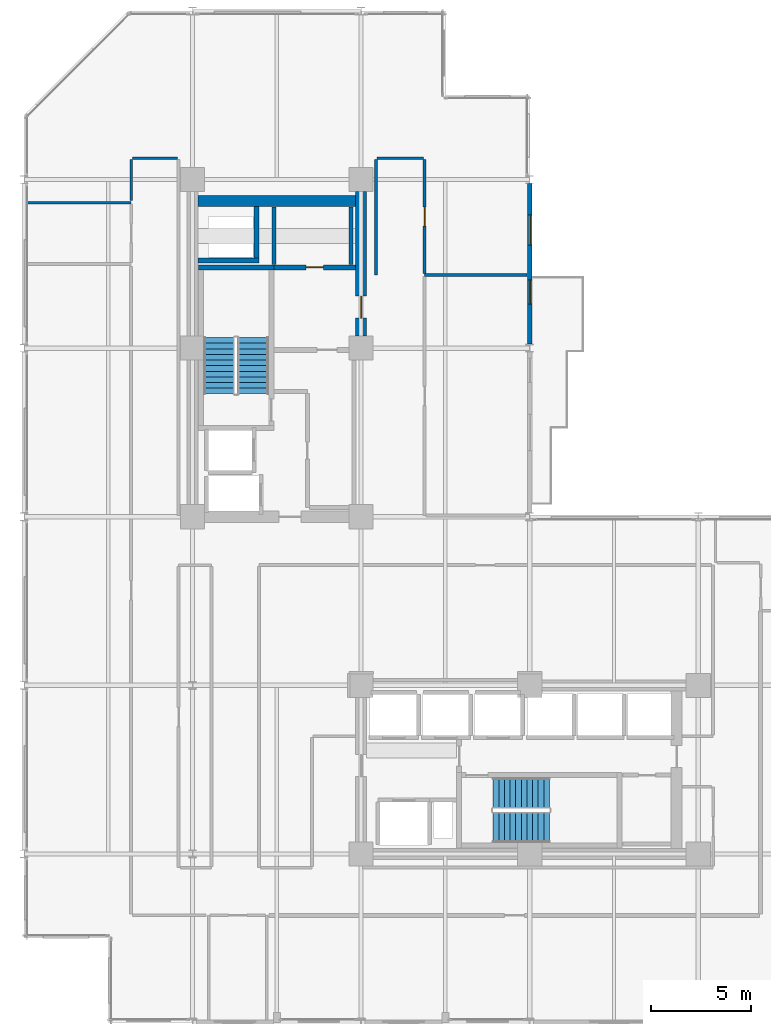
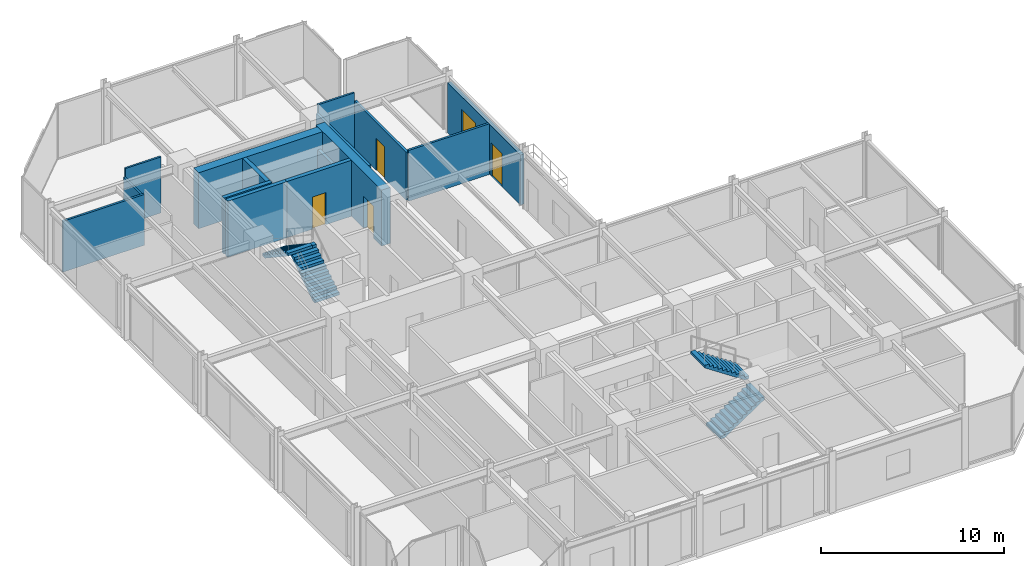
# One storey, part 26 of 29: 16 walls, 4 doors, 4 stair flights, 1 window, 5 openings, 2 elements without a shape of their own.
"""IFC4 building model written with IfcOpenShell, lengths in metres."""

from ifc_helpers import new_model, si_unit, direction, frame, frame_2d, origin, place, context, subcontext, project, spatial, polyline, rectangle, outline, extrude, material, layer, layer_set, type_object, element, fill, aggregate, save


model = new_model("IFC4")

# Units and contexts
model_context = context("Model", 3, precision=1e-05, world=origin(), true_north=direction((0.0, 1.0)))
body_context = subcontext(model_context, "Body", "Model", "MODEL_VIEW")
ifc_project = project(units=[si_unit("LENGTHUNIT", "METRE"), si_unit("AREAUNIT", "SQUARE_METRE"), si_unit("VOLUMEUNIT", "CUBIC_METRE"), si_unit("PLANEANGLEUNIT", "RADIAN"), si_unit("MASSUNIT", "GRAM", prefix="KILO")], contexts=[model_context])

# Site, building, storey
site_placement = place(None, origin())
site = spatial("IfcSite", under=ifc_project, at=site_placement, CompositionType="ELEMENT")
building_placement = place(site_placement, origin())
building = spatial("IfcBuilding", under=site, at=building_placement, Name="Nerrivon Quay Data Exchange", CompositionType="ELEMENT")
storey_placement = place(building_placement, frame((0.0, 0.0, 158.199951171875)))
storey = spatial("IfcBuildingStorey", under=building, at=storey_placement, Name="L37", CompositionType="ELEMENT", Elevation=158.199951171875)

# Wall, openings, door, window
ifc_material_1 = material(Name="Architectural terracotta precast concrete N50 (50 MPa)", Category="masonry")
ifc_layer_1 = layer(ifc_material_1, 0.239990234375)
ifc_layer_set_1 = layer_set([ifc_layer_1], Name="Architectural terracotta precast concrete N50 (50 MPa)")
wall_type_1 = type_object("IfcWallType", Name="EW-PREC-240", PredefinedType="STANDARD", material=ifc_layer_set_1)
wall_1_placement = place(storey_placement, frame((25.199951171875, 41.800048828125, 0.0), z_axis=(0.0, 0.0, 1.0), x_axis=(0.0, -1.0, 0.0)))
wall_1 = element("IfcWall", 1, at=wall_1_placement, inside=storey, type_object=wall_type_1, Name="L37 Terrace Host Wall 24", PredefinedType="STANDARD", context=body_context, shape_type="SweptSolid", body=[
    extrude(rectangle(XDim=8.0, YDim=0.239990234375, at=frame_2d((4.0, 0.0))), origin(), (0.0, 0.0, 1.0), 3.34716796875),
])
opening_1_placement = place(wall_1_placement, frame((4.800048828125, 0.0, 0.0)))
opening_1 = element("IfcOpeningElement", 2, at=opening_1_placement, cuts=wall_1, Name="Opening TD1", PredefinedType="OPENING", context=body_context, shape_type="SweptSolid", body=[
    extrude(rectangle(XDim=1.199951171875, YDim=2.199951171875, at=frame_2d((0.60009765625, 1.10009765625))), frame((0.0, 0.1298828125, 0.0), z_axis=(0.0, -1.0, 0.0), x_axis=(1.0, 0.0, 0.0)), (0.0, 0.0, 1.0), 0.260009765625),
])
opening_2_placement = place(wall_1_placement, frame((1.56103515625, 0.0, 0.89990234375)))
opening_2 = element("IfcOpeningElement", 3, at=opening_2_placement, cuts=wall_1, Name="Opening WN4", PredefinedType="OPENING", context=body_context, shape_type="SweptSolid", body=[
    extrude(rectangle(XDim=1.5, YDim=1.60009765625, at=frame_2d((0.75, 0.800048828125))), frame((0.0, 0.1298828125, 0.0), z_axis=(0.0, -1.0, 0.0), x_axis=(1.0, 0.0, 0.0)), (0.0, 0.0, 1.0), 0.260009765625),
])
ifc_material_2 = material(Name="Double-glazed low-E solar control glass", Category="glass")
door_type_1 = type_object("IfcDoorType", Name="DR-TERR-1200x2200", OperationType="NOTDEFINED", PredefinedType="DOOR", material=ifc_material_2)
door_1_placement = place(opening_1_placement, origin())
door_1 = element("IfcDoor", 4, at=door_1_placement, inside=storey, type_object=door_type_1, Name="L37 Outdoor Terrace Access Door 24", OperationType="SINGLE_SWING_LEFT", OverallHeight=2.199951171875, OverallWidth=1.199951171875, PredefinedType="DOOR", context=body_context, shape_type="SweptSolid", body=[
    extrude(rectangle(XDim=1.199951171875, YDim=2.199951171875, at=frame_2d((0.60009765625, 1.10009765625))), frame((0.0, 0.02490234375, 0.0), z_axis=(0.0, -1.0, 0.0), x_axis=(1.0, 0.0, 0.0)), (0.0, 0.0, 1.0), 0.050048828125),
])
fill(opening_1, door_1)
window_type = type_object("IfcWindowType", Name="WIN-W4-1500x1600", PartitioningType="SINGLE_PANEL", PredefinedType="WINDOW", material=ifc_material_2)
window_placement = place(opening_2_placement, origin())
window = element("IfcWindow", 5, at=window_placement, inside=storey, type_object=window_type, Name="L37 Terrace Side Window 24", OverallHeight=1.60009765625, OverallWidth=1.5, PartitioningType="SINGLE_PANEL", PredefinedType="WINDOW", context=body_context, shape_type="SweptSolid", body=[
    extrude(rectangle(XDim=1.5, YDim=1.60009765625, at=frame_2d((0.75, 0.800048828125))), frame((0.0, 0.030029296875, 0.0), z_axis=(0.0, -1.0, 0.0), x_axis=(1.0, 0.0, 0.0)), (0.0, 0.0, 1.0), 0.06005859375),
])
fill(opening_2, window)

# Wall
ifc_material_3 = material(Name="Concrete S65 (65 MPa)", Category="concrete")
ifc_layer_2 = layer(ifc_material_3, 0.550048828125)
ifc_layer_set_2 = layer_set([ifc_layer_2], Name="Concrete S65 (65 MPa)")
wall_type_2 = type_object("IfcWallType", Name="WALL-CW-700", PredefinedType="SHEAR", material=ifc_layer_set_2)
wall_2_placement = place(storey_placement, frame((8.675048828125, 40.925048828125, 0.0), z_axis=(0.0, 0.0, 1.0), x_axis=(1.0, 0.0, 0.0)))
element("IfcWall", 6, at=wall_2_placement, inside=storey, type_object=wall_type_2, Name="L37 West Split-Core Shear Wall WCW-N1", PredefinedType="SHEAR", context=body_context, shape_type="SweptSolid", body=[
    extrude(rectangle(XDim=7.849853515625, YDim=0.550048828125, at=frame_2d((3.9248046875, 0.0))), origin(), (0.0, 0.0, 1.0), 3.75),
])

# Wall, opening, door
wall_3_placement = place(storey_placement, frame((16.800048828125, 34.199951171875, 0.0), z_axis=(0.0, 0.0, 1.0), x_axis=(0.0, 1.0, 0.0)))
wall_3 = element("IfcWall", 7, at=wall_3_placement, inside=storey, type_object=wall_type_2, Name="L37 West Split-Core Shear Wall WCW-E1", PredefinedType="SHEAR", context=body_context, shape_type="SweptSolid", body=[
    extrude(rectangle(XDim=7.199951171875, YDim=0.550048828125, at=frame_2d((3.60009765625, 0.0))), origin(), (0.0, 0.0, 1.0), 3.75),
])
opening_3_placement = place(wall_3_placement, frame((0.89990234375, 0.0, 0.0)))
opening_3 = element("IfcOpeningElement", 8, at=opening_3_placement, cuts=wall_3, Name="Opening FD-120", PredefinedType="OPENING", context=body_context, shape_type="SweptSolid", body=[
    extrude(rectangle(XDim=1.10009765625, YDim=2.14990234375, at=frame_2d((0.550048828125, 1.074951171875))), frame((0.0, 0.284912109375, 0.0), z_axis=(0.0, -1.0, 0.0), x_axis=(1.0, 0.0, 0.0)), (0.0, 0.0, 1.0), 0.570068359375),
])
ifc_material_4 = material(Name="Powder-coated galvanized steel sheet", Category="steel")
door_type_2 = type_object("IfcDoorType", Name="DR-FD120-1100", OperationType="NOTDEFINED", PredefinedType="DOOR", material=ifc_material_4)
door_2_placement = place(opening_3_placement, origin())
door_2 = element("IfcDoor", 9, at=door_2_placement, inside=storey, type_object=door_type_2, Name="L37 West Core Lobby Fire Door", OperationType="SINGLE_SWING_LEFT", OverallHeight=2.14990234375, OverallWidth=1.10009765625, PredefinedType="DOOR", context=body_context, shape_type="SweptSolid", body=[
    extrude(rectangle(XDim=1.10009765625, YDim=2.14990234375, at=frame_2d((0.550048828125, 1.074951171875))), frame((0.0, 0.02490234375, 0.0), z_axis=(0.0, -1.0, 0.0), x_axis=(1.0, 0.0, 0.0)), (0.0, 0.0, 1.0), 0.050048828125),
])
fill(opening_3, door_2)

# Walls
ifc_material_5 = material(Name="Gypsum plasterboard on cold-formed framing", Category="gypsum")
ifc_layer_3 = layer(ifc_material_5, 0.199951171875)
ifc_layer_set_3 = layer_set([ifc_layer_3], Name="Gypsum plasterboard on cold-formed framing")
wall_type_3 = type_object("IfcWallType", Name="WALL-FW-200", PredefinedType="PARTITIONING", material=ifc_layer_set_3)
for number, where, z_axis, x_axis, name in (
    (10, (16.300048828125, 37.780029296875, 0.0), (0.0, 0.0, 1.0), (0.0, 1.0, 0.0), "L37 Partition Cleaners Store"),
    (11, (12.449951171875, 40.64599609375, 0.0), (0.0, 0.0, 1.0), (0.0, -1.0, 0.0), "L37 Partition Cleaners Store"),
):
    element("IfcWall", number, at=place(storey_placement, frame(where, z_axis=z_axis, x_axis=x_axis)), inside=storey, type_object=wall_type_3, Name=name, PredefinedType="PARTITIONING", context=body_context, shape_type="SweptSolid", body=[
        extrude(rectangle(XDim=2.865966796875, YDim=0.199951171875, at=frame_2d((1.43310546875, 0.0))), origin(), (0.0, 0.0, 1.0), 2.650146484375),
    ])
ifc_layer_4 = layer(ifc_material_5, 0.1201171875)
ifc_layer_set_4 = layer_set([ifc_layer_4], Name="Gypsum plasterboard on cold-formed framing")
wall_type_4 = type_object("IfcWallType", Name="WALL-PT-120", PredefinedType="PARTITIONING", material=ifc_layer_set_4)
wall_4_placement = place(storey_placement, frame((17.60009765625, 43.06005859375, 0.0), z_axis=(0.0, 0.0, 1.0), x_axis=(1.0, 0.0, 0.0)))
element("IfcWall", 12, at=wall_4_placement, inside=storey, type_object=wall_type_4, Name="L37 Partition Technical Seminar Room", PredefinedType="PARTITIONING", context=body_context, shape_type="SweptSolid", body=[
    extrude(rectangle(XDim=2.2998046875, YDim=0.1201171875, at=frame_2d((1.14990234375, 0.0))), origin(), (0.0, 0.0, 1.0), 3.75),
])
wall_5_placement = place(storey_placement, frame((5.340087890625, 40.969970703125, 0.0), z_axis=(0.0, 0.0, 1.0), x_axis=(0.0, 1.0, 0.0)))
element("IfcWall", 13, at=wall_5_placement, inside=storey, type_object=wall_type_4, Name="L37 Partition Technical Seminar Room", PredefinedType="PARTITIONING", context=body_context, shape_type="SweptSolid", body=[
    extrude(rectangle(XDim=2.030029296875, YDim=0.1201171875, at=frame_2d((1.01513671875, 0.0))), origin(), (0.0, 0.0, 1.0), 3.217041015625),
])
wall_6_placement = place(storey_placement, frame((5.39990234375, 43.06005859375, 0.0), z_axis=(0.0, 0.0, 1.0), x_axis=(1.0, 0.0, 0.0)))
element("IfcWall", 14, at=wall_6_placement, inside=storey, type_object=wall_type_4, Name="L37 Partition Technical Seminar Room", PredefinedType="PARTITIONING", context=body_context, shape_type="SweptSolid", body=[
    extrude(rectangle(XDim=2.25, YDim=0.1201171875, at=frame_2d((1.125, 0.0))), origin(), (0.0, 0.0, 1.0), 3.75),
])
ifc_layer_5 = layer(ifc_material_5, 0.135009765625)
ifc_layer_set_5 = layer_set([ifc_layer_5], Name="Gypsum plasterboard on cold-formed framing")
wall_type_5 = type_object("IfcWallType", Name="WALL-PT-135", PredefinedType="PARTITIONING", material=ifc_layer_set_5)
wall_7_placement = place(storey_placement, frame((5.340087890625, 40.85009765625, 0.0), z_axis=(0.0, 0.0, 1.0), x_axis=(-1.0, 0.0, 0.0)))
element("IfcWall", 15, at=wall_7_placement, inside=storey, type_object=wall_type_5, Name="L37 Partition Accessible Toilet", PredefinedType="PARTITIONING", context=body_context, shape_type="SweptSolid", body=[
    extrude(rectangle(XDim=5.171142578125, YDim=0.135009765625, at=frame_2d((2.58544921875, 0.0))), origin(), (0.0, 0.0, 1.0), 3.39404296875),
])
wall_8_placement = place(storey_placement, frame((25.075927734375, 37.248046875, 0.0), z_axis=(0.0, 0.0, 1.0), x_axis=(-1.0, 0.0, 0.0)))
element("IfcWall", 16, at=wall_8_placement, inside=storey, type_object=wall_type_5, Name="L37 Partition Executive Boardroom", PredefinedType="PARTITIONING", context=body_context, shape_type="SweptSolid", body=[
    extrude(rectangle(XDim=5.115966796875, YDim=0.135009765625, at=frame_2d((2.55810546875, 0.0))), origin(), (0.0, 0.0, 1.0), 3.39404296875),
])
ifc_layer_6 = layer(ifc_material_5, 0.14990234375)
ifc_layer_set_6 = layer_set([ifc_layer_6], Name="Gypsum plasterboard on cold-formed framing")
wall_type_6 = type_object("IfcWallType", Name="WALL-PT-150", PredefinedType="PARTITIONING", material=ifc_layer_set_6)
wall_9_placement = place(storey_placement, frame((17.5400390625, 37.248046875, 0.0), z_axis=(0.0, 0.0, 1.0), x_axis=(0.0, 1.0, 0.0)))
element("IfcWall", 17, at=wall_9_placement, inside=storey, type_object=wall_type_6, Name="L37 Partition Technical Seminar Room", PredefinedType="PARTITIONING", context=body_context, shape_type="SweptSolid", body=[
    extrude(rectangle(XDim=5.751953125, YDim=0.14990234375, at=frame_2d((2.8759765625, 0.0))), origin(), (0.0, 0.0, 1.0), 3.217041015625),
])

# Wall, opening, door
wall_10_placement = place(storey_placement, frame((19.9599609375, 43.0, 0.0), z_axis=(0.0, 0.0, 1.0), x_axis=(0.0, -1.0, 0.0)))
wall_10 = element("IfcWall", 18, at=wall_10_placement, inside=storey, type_object=wall_type_6, Name="L37 Partition Technical Seminar Room", PredefinedType="PARTITIONING", context=body_context, shape_type="SweptSolid", body=[
    extrude(rectangle(XDim=5.680419921875, YDim=0.14990234375, at=frame_2d((2.84033203125, 0.0))), origin(), (0.0, 0.0, 1.0), 3.217041015625),
])
opening_4_placement = place(wall_10_placement, frame((2.365234375, 0.0, 0.0)))
opening_4 = element("IfcOpeningElement", 19, at=opening_4_placement, cuts=wall_10, Name="Opening D-01", PredefinedType="OPENING", context=body_context, shape_type="SweptSolid", body=[
    extrude(rectangle(XDim=0.949951171875, YDim=2.14990234375, at=frame_2d((0.47509765625, 1.074951171875))), frame((0.0, 0.0849609375, 0.0), z_axis=(0.0, -1.0, 0.0), x_axis=(1.0, 0.0, 0.0)), (0.0, 0.0, 1.0), 0.169921875),
])
ifc_material_6 = material(Name="Engineered hardwood timber", Category="wood")
door_type_3 = type_object("IfcDoorType", Name="DR-INT-950", OperationType="NOTDEFINED", PredefinedType="DOOR", material=ifc_material_6)
door_3_placement = place(opening_4_placement, origin())
door_3 = element("IfcDoor", 20, at=door_3_placement, inside=storey, type_object=door_type_3, Name="L37 Door Technical Seminar Room", OperationType="SINGLE_SWING_RIGHT", OverallHeight=2.14990234375, OverallWidth=0.949951171875, PredefinedType="DOOR", context=body_context, shape_type="SweptSolid", body=[
    extrude(rectangle(XDim=0.949951171875, YDim=2.14990234375, at=frame_2d((0.47509765625, 1.074951171875))), frame((0.0, 0.02490234375, 0.0), z_axis=(0.0, -1.0, 0.0), x_axis=(1.0, 0.0, 0.0)), (0.0, 0.0, 1.0), 0.050048828125),
])
fill(opening_4, door_3)

# Walls
ifc_material_7 = material(Name="Concrete N50 (50 MPa)", Category="concrete")
ifc_layer_7 = layer(ifc_material_7, 0.25)
ifc_layer_set_7 = layer_set([ifc_layer_7], Name="Concrete N50 (50 MPa)")
wall_type_7 = type_object("IfcWallType", Name="WALL-SW-250", PredefinedType="SHEAR", material=ifc_layer_set_7)
wall_11_placement = place(storey_placement, frame((12.449951171875, 37.625, 0.0), z_axis=(0.0, 0.0, 1.0), x_axis=(-1.0, 0.0, 0.0)))
element("IfcWall", 21, at=wall_11_placement, inside=storey, type_object=wall_type_7, Name="L37 ST01 Structural Stair Core Wall FAR", PredefinedType="SHEAR", context=body_context, shape_type="SweptSolid", body=[
    extrude(rectangle(XDim=3.75, YDim=0.25, at=frame_2d((1.875, 0.0))), origin(), (0.0, 0.0, 1.0), 3.75),
])
wall_12_placement = place(storey_placement, frame((8.675048828125, 37.97509765625, 0.0), z_axis=(0.0, 0.0, 1.0), x_axis=(1.0, 0.0, 0.0)))
element("IfcWall", 22, at=wall_12_placement, inside=storey, type_object=wall_type_7, Name="L37 West Core MEP Riser Shaft Wall S", PredefinedType="SHEAR", context=body_context, shape_type="SweptSolid", body=[
    extrude(rectangle(XDim=3.02490234375, YDim=0.25, at=frame_2d((1.512451171875, 0.0))), origin(), (0.0, 0.0, 1.0), 3.75),
])
wall_13_placement = place(storey_placement, frame((11.574951171875, 38.10009765625, 0.0), z_axis=(0.0, 0.0, 1.0), x_axis=(0.0, 1.0, 0.0)))
element("IfcWall", 23, at=wall_13_placement, inside=storey, type_object=wall_type_7, Name="L37 West Core MEP Riser Shaft Wall E", PredefinedType="SHEAR", context=body_context, shape_type="SweptSolid", body=[
    extrude(rectangle(XDim=2.5498046875, YDim=0.25, at=frame_2d((1.27490234375, 0.0))), origin(), (0.0, 0.0, 1.0), 3.75),
])

# Wall, opening, door
wall_14_placement = place(storey_placement, frame((12.449951171875, 37.625, 0.0), z_axis=(0.0, 0.0, 1.0), x_axis=(1.0, 0.0, 0.0)))
wall_14 = element("IfcWall", 24, at=wall_14_placement, inside=storey, type_object=wall_type_7, Name="L37 West Firefighting Lobby Wall", PredefinedType="SHEAR", context=body_context, shape_type="SweptSolid", body=[
    extrude(rectangle(XDim=4.074951171875, YDim=0.25, at=frame_2d((2.03759765625, 0.0))), origin(), (0.0, 0.0, 1.0), 3.75),
])
opening_5_placement = place(wall_14_placement, frame((1.612548828125, 0.0, 0.0)))
opening_5 = element("IfcOpeningElement", 25, at=opening_5_placement, cuts=wall_14, Name="Opening FD-60S", PredefinedType="OPENING", context=body_context, shape_type="SweptSolid", body=[
    extrude(rectangle(XDim=0.85009765625, YDim=2.14990234375, at=frame_2d((0.425048828125, 1.074951171875))), frame((0.0, 0.135009765625, 0.0), z_axis=(0.0, -1.0, 0.0), x_axis=(1.0, 0.0, 0.0)), (0.0, 0.0, 1.0), 0.27001953125),
])
door_type_4 = type_object("IfcDoorType", Name="DR-FD60-850", OperationType="NOTDEFINED", PredefinedType="DOOR", material=ifc_material_6)
door_4_placement = place(opening_5_placement, origin())
door_4 = element("IfcDoor", 26, at=door_4_placement, inside=storey, type_object=door_type_4, Name="L37 Door Cleaners Store", OperationType="SINGLE_SWING_RIGHT", OverallHeight=2.14990234375, OverallWidth=0.85009765625, PredefinedType="DOOR", context=body_context, shape_type="SweptSolid", body=[
    extrude(rectangle(XDim=0.85009765625, YDim=2.14990234375, at=frame_2d((0.425048828125, 1.074951171875))), frame((0.0, 0.02490234375, 0.0), z_axis=(0.0, -1.0, 0.0), x_axis=(1.0, 0.0, 0.0)), (0.0, 0.0, 1.0), 0.050048828125),
])
fill(opening_5, door_4)

# Stair, stair flights
stair_type = type_object("IfcStairType", Name="STAIR-DOG-41", PredefinedType="HALF_TURN_STAIR", material=ifc_material_7)
stair_1_placement = place(storey_placement, origin())
stair_1 = element("IfcStair", 27, at=stair_1_placement, inside=storey, type_object=stair_type, Name="L37 West Core Fire Stair ST01", PredefinedType="HALF_TURN_STAIR")
stair_flight_type = type_object("IfcStairFlightType", Name="FLIGHT-DOG-41", PredefinedType="STRAIGHT", material=ifc_material_7)
stair_flight_1_placement = place(storey_placement, frame((11.425048828125, 31.330078125, 0.0), z_axis=(0.0, 0.0, 1.0), x_axis=(0.0, 1.0, 0.0)))
stair_flight_1 = element("IfcStairFlight", 28, at=stair_flight_1_placement, type_object=stair_flight_type, Name="ST01 flight 1", NumberOfRisers=11, NumberOfTreads=10, PredefinedType="STRAIGHT", RiserHeight=0.186363636, TreadLength=0.28, context=body_context, shape_type="SweptSolid", body=[
    extrude(outline(polyline([(0.0, 0.0), (0.0, 0.186279296875), (0.280029296875, 0.186279296875), (0.280029296875, 0.372802734375), (0.56005859375, 0.372802734375), (0.56005859375, 0.55908203125), (0.840087890625, 0.55908203125), (0.840087890625, 0.745361328125), (1.1201171875, 0.745361328125), (1.1201171875, 0.931884765625), (1.39990234375, 0.931884765625), (1.39990234375, 1.1181640625), (1.679931640625, 1.1181640625), (1.679931640625, 1.304443359375), (1.9599609375, 1.304443359375), (1.9599609375, 1.490966796875), (2.239990234375, 1.490966796875), (2.239990234375, 1.67724609375), (2.52001953125, 1.67724609375), (2.52001953125, 1.863525390625), (2.800048828125, 1.863525390625), (2.800048828125, 2.050048828125), (2.800048828125, 1.68359375), (0.2705078125, 0.0), (0.0, 0.0)])), frame((0.0, 0.77490234375, 0.0), z_axis=(0.0, -1.0, 0.0), x_axis=(1.0, 0.0, 0.0)), (0.0, 0.0, 1.0), 1.550048828125),
])
stair_flight_2_placement = place(storey_placement, frame((9.72509765625, 34.1298828125, 2.050048828125), z_axis=(0.0, 0.0, 1.0), x_axis=(0.0, -1.0, 0.0)))
stair_flight_2 = element("IfcStairFlight", 29, at=stair_flight_2_placement, type_object=stair_flight_type, Name="ST01 flight 2", NumberOfRisers=11, NumberOfTreads=10, PredefinedType="STRAIGHT", RiserHeight=0.186363636, TreadLength=0.28, context=body_context, shape_type="SweptSolid", body=[
    extrude(outline(polyline([(0.0, 0.0), (0.0, 0.186279296875), (0.280029296875, 0.186279296875), (0.280029296875, 0.372802734375), (0.56005859375, 0.372802734375), (0.56005859375, 0.55908203125), (0.840087890625, 0.55908203125), (0.840087890625, 0.745361328125), (1.1201171875, 0.745361328125), (1.1201171875, 0.931884765625), (1.39990234375, 0.931884765625), (1.39990234375, 1.1181640625), (1.679931640625, 1.1181640625), (1.679931640625, 1.304443359375), (1.9599609375, 1.304443359375), (1.9599609375, 1.490966796875), (2.239990234375, 1.490966796875), (2.239990234375, 1.67724609375), (2.52001953125, 1.67724609375), (2.52001953125, 1.863525390625), (2.800048828125, 1.863525390625), (2.800048828125, 2.050048828125), (2.800048828125, 1.68359375), (0.2705078125, 0.0), (0.0, 0.0)])), frame((0.0, 0.77490234375, 0.0), z_axis=(0.0, -1.0, 0.0), x_axis=(1.0, 0.0, 0.0)), (0.0, 0.0, 1.0), 1.550048828125),
])
aggregate(stair_1, [stair_flight_1, stair_flight_2])

stair_2_placement = place(storey_placement, origin())
stair_2 = element("IfcStair", 30, at=stair_2_placement, inside=storey, type_object=stair_type, Name="L37 East Core Fire Stair ST02", PredefinedType="HALF_TURN_STAIR")
stair_flight_3_placement = place(storey_placement, frame((23.3798828125, 9.72509765625, 0.0), z_axis=(0.0, 0.0, 1.0), x_axis=(1.0, 0.0, 0.0)))
stair_flight_3 = element("IfcStairFlight", 31, at=stair_flight_3_placement, type_object=stair_flight_type, Name="ST02 flight 1", NumberOfRisers=11, NumberOfTreads=10, PredefinedType="STRAIGHT", RiserHeight=0.186363636, TreadLength=0.28, context=body_context, shape_type="SweptSolid", body=[
    extrude(outline(polyline([(0.0, 0.0), (0.0, 0.186279296875), (0.280029296875, 0.186279296875), (0.280029296875, 0.372802734375), (0.56005859375, 0.372802734375), (0.56005859375, 0.55908203125), (0.840087890625, 0.55908203125), (0.840087890625, 0.745361328125), (1.1201171875, 0.745361328125), (1.1201171875, 0.931884765625), (1.39990234375, 0.931884765625), (1.39990234375, 1.1181640625), (1.679931640625, 1.1181640625), (1.679931640625, 1.304443359375), (1.9599609375, 1.304443359375), (1.9599609375, 1.490966796875), (2.239990234375, 1.490966796875), (2.239990234375, 1.67724609375), (2.52001953125, 1.67724609375), (2.52001953125, 1.863525390625), (2.800048828125, 1.863525390625), (2.800048828125, 2.050048828125), (2.800048828125, 1.68359375), (0.2705078125, 0.0), (0.0, 0.0)])), frame((0.0, 0.77490234375, 0.0), z_axis=(0.0, -1.0, 0.0), x_axis=(1.0, 0.0, 0.0)), (0.0, 0.0, 1.0), 1.550048828125),
])
stair_flight_4_placement = place(storey_placement, frame((26.179931640625, 11.425048828125, 2.050048828125), z_axis=(0.0, 0.0, 1.0), x_axis=(-1.0, 0.0, 0.0)))
stair_flight_4 = element("IfcStairFlight", 32, at=stair_flight_4_placement, type_object=stair_flight_type, Name="ST02 flight 2", NumberOfRisers=11, NumberOfTreads=10, PredefinedType="STRAIGHT", RiserHeight=0.186363636, TreadLength=0.28, context=body_context, shape_type="SweptSolid", body=[
    extrude(outline(polyline([(0.0, 0.0), (0.0, 0.186279296875), (0.280029296875, 0.186279296875), (0.280029296875, 0.372802734375), (0.56005859375, 0.372802734375), (0.56005859375, 0.55908203125), (0.840087890625, 0.55908203125), (0.840087890625, 0.745361328125), (1.1201171875, 0.745361328125), (1.1201171875, 0.931884765625), (1.39990234375, 0.931884765625), (1.39990234375, 1.1181640625), (1.679931640625, 1.1181640625), (1.679931640625, 1.304443359375), (1.9599609375, 1.304443359375), (1.9599609375, 1.490966796875), (2.239990234375, 1.490966796875), (2.239990234375, 1.67724609375), (2.52001953125, 1.67724609375), (2.52001953125, 1.863525390625), (2.800048828125, 1.863525390625), (2.800048828125, 2.050048828125), (2.800048828125, 1.68359375), (0.2705078125, 0.0), (0.0, 0.0)])), frame((0.0, 0.77490234375, 0.0), z_axis=(0.0, -1.0, 0.0), x_axis=(1.0, 0.0, 0.0)), (0.0, 0.0, 1.0), 1.550048828125),
])
aggregate(stair_2, [stair_flight_3, stair_flight_4])

save(model, "model.ifc")
